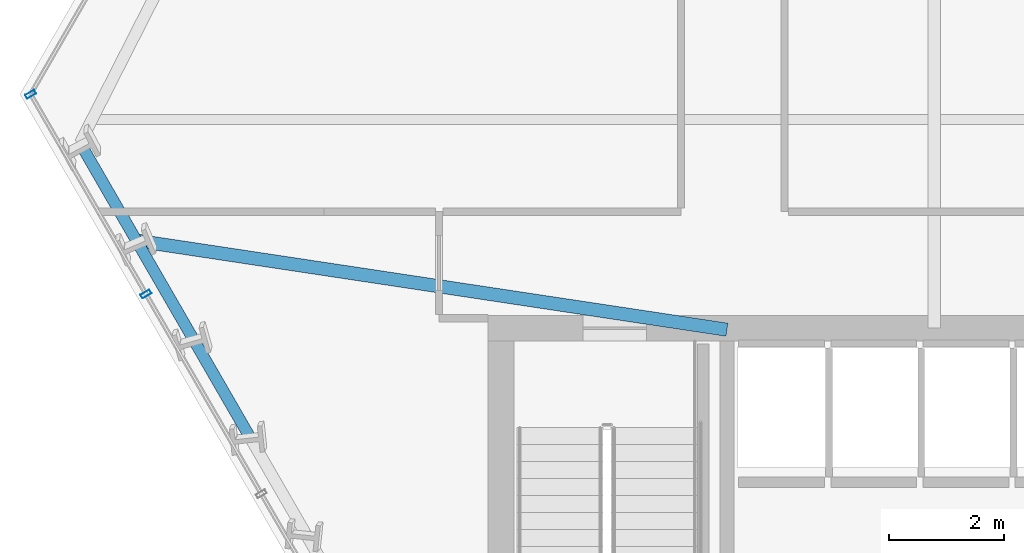
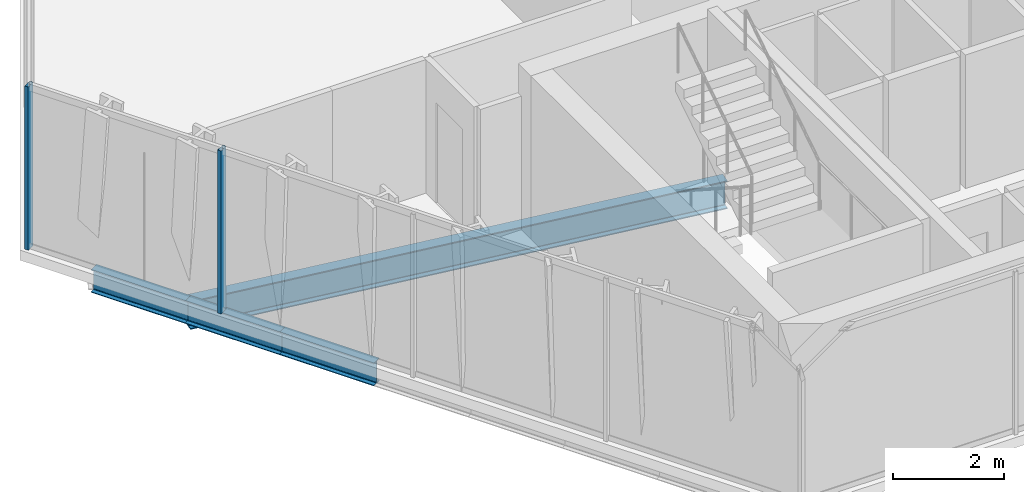
# One storey, part 4 of 32: 4 beams, 2 members, 1 element without a shape of its own.
"""IFC4 building model written with IfcOpenShell, lengths in metres."""

from ifc_helpers import new_model, si_unit, direction, frame, origin, origin_2d, place, context, subcontext, project, spatial, hollow_rectangle, i_section, extrude, material, layer, layer_set, material_profile, profile_set, type_object, element, aggregate, save


model = new_model("IFC4")

# Units and contexts
model_context = context("Model", 3, precision=1e-05, world=origin(), true_north=direction((0.0, 1.0)))
body_context = subcontext(model_context, "Body", "Model", "MODEL_VIEW")
ifc_project = project(units=[si_unit("LENGTHUNIT", "METRE"), si_unit("AREAUNIT", "SQUARE_METRE"), si_unit("VOLUMEUNIT", "CUBIC_METRE"), si_unit("PLANEANGLEUNIT", "RADIAN"), si_unit("MASSUNIT", "GRAM", prefix="KILO")], contexts=[model_context])

# Site, building, storey
site_placement = place(None, origin())
site = spatial("IfcSite", under=ifc_project, at=site_placement, CompositionType="ELEMENT")
building_placement = place(site_placement, origin())
building = spatial("IfcBuilding", under=site, at=building_placement, Name="Ndaravel Arena Tower", CompositionType="ELEMENT")
storey_placement = place(building_placement, frame((0.0, 0.0, 55.0)))
storey = spatial("IfcBuildingStorey", under=building, at=storey_placement, Name="L11", CompositionType="ELEMENT", Elevation=55.0)

# Beams
ifc_material_1 = material(Name="Steel S355", Category="steel")
ifc_material_profile_1 = material_profile(ifc_material_1, i_section(OverallWidth=0.230224609375, OverallDepth=0.6171875, WebThickness=0.01318359375, FlangeThickness=0.022216796875, FilletRadius=0.0126953125, at=origin_2d()), Name="UB 610x229x140")
ifc_profile_set_1 = profile_set([ifc_material_profile_1], Name="Steel S355")
beam_type_1 = type_object("IfcBeamType", Name="BM-GIRD-UB610B", PredefinedType="BEAM", material=ifc_profile_set_1)
beam_1_placement = place(storey_placement, frame((20.343994140625, 16.4970703125, -0.528564453125), z_axis=(0.988812912009, -0.149161070804, 0.0), x_axis=(0.149161070804, 0.988812912009, 0.0)))
element("IfcBeam", 1, at=beam_1_placement, inside=storey, type_object=beam_type_1, Name="L11 Radial Floor Girder FG-21", PredefinedType="BEAM", context=body_context, shape_type="SweptSolid", body=[
    extrude(i_section(OverallWidth=0.230224609375, OverallDepth=0.6171875, WebThickness=0.01318359375, FlangeThickness=0.022216796875, FilletRadius=0.0126953125, at=origin_2d()), origin(), (0.0, 0.0, 1.0), 10.3720703125),
])
ifc_material_2 = material(Name="Steel S355", Category="steel")
ifc_material_profile_2 = material_profile(ifc_material_2, i_section(OverallWidth=0.199951171875, OverallDepth=0.5, WebThickness=0.01025390625, FlangeThickness=0.01611328125, FilletRadius=0.02099609375, at=origin_2d()), Name="IPE 500")
ifc_profile_set_2 = profile_set([ifc_material_profile_2], Name="Steel S355")
beam_type_2 = type_object("IfcBeamType", Name="BM-SPAN-IPE500", PredefinedType="SPANDREL", material=ifc_profile_set_2)
for number, where, z_axis, x_axis, name in (
    (2, (19.365478515625, 18.19189453125, -0.469970703125), (0.500003221507, -0.866023543838, 0.0), (0.866023543838, 0.500003221507, 0.0), "L11 Perimeter Spandrel Beam SP-20"),
    (3, (20.343994140625, 16.4970703125, -0.469970703125), (0.500096775829, -0.865969523024, 0.0), (0.865969523024, 0.500096775829, 0.0), "L11 Perimeter Spandrel Beam SP-21"),
):
    element("IfcBeam", number, at=place(storey_placement, frame(where, z_axis=z_axis, x_axis=x_axis)), inside=storey, type_object=beam_type_2, Name=name, PredefinedType="SPANDREL", context=body_context, shape_type="SweptSolid", body=[
        extrude(i_section(OverallWidth=0.199951171875, OverallDepth=0.5, WebThickness=0.01025390625, FlangeThickness=0.01611328125, FilletRadius=0.02099609375, at=origin_2d()), origin(), (0.0, 0.0, 1.0), 1.95703125),
    ])
beam_2_placement = place(storey_placement, frame((21.32275390625, 14.80224609375, -0.469970703125), z_axis=(0.49994920724, -0.866054727012, 0.0), x_axis=(0.866054727012, 0.49994920724, 0.0)))
element("IfcBeam", 4, at=beam_2_placement, inside=storey, type_object=beam_type_2, Name="L11 Perimeter Spandrel Beam SP-22", PredefinedType="SPANDREL", context=body_context, shape_type="SweptSolid", body=[
    extrude(i_section(OverallWidth=0.199951171875, OverallDepth=0.5, WebThickness=0.01025390625, FlangeThickness=0.01611328125, FilletRadius=0.02099609375, at=origin_2d()), origin(), (0.0, 0.0, 1.0), 1.957275390625),
])

# Curtain wall, members
ifc_material_3 = material(Name="Aluminium", Category="aluminium")
ifc_layer = layer(ifc_material_3, 0.179931640625)
ifc_layer_set = layer_set([ifc_layer], Name="Aluminium")
curtain_wall_type = type_object("IfcCurtainWallType", Name="CW-SYS-02", PredefinedType="NOTDEFINED", material=ifc_layer_set)
curtain_wall_placement = place(storey_placement, origin())
curtain_wall = element("IfcCurtainWall", 5, at=curtain_wall_placement, inside=storey, type_object=curtain_wall_type, Name="L11 Faceted Crystal Curtain Wall CW-L11-E06", PredefinedType="NOTDEFINED")
ifc_material_4 = material(Name="Aluminium", Category="aluminium")
ifc_material_profile_3 = material_profile(ifc_material_4, hollow_rectangle(XDim=0.074951171875, YDim=0.179931640625, WallThickness=0.00390625, at=origin_2d()), Name="CW MULLION 75x180x4")
ifc_profile_set_3 = profile_set([ifc_material_profile_3], Name="Aluminium")
member_type = type_object("IfcMemberType", Name="MEM-CW-MUL180", PredefinedType="MULLION", material=ifc_profile_set_3)
member_1_placement = place(storey_placement, frame((18.5068359375, 19.03955078125, 0.0), z_axis=(0.0, 0.0, 1.0), x_axis=(0.5, -0.866025403784, 0.0)))
member_1 = element("IfcMember", 6, at=member_1_placement, type_object=member_type, Name="CW-L11-E06 Mullion 00", PredefinedType="MULLION", context=body_context, shape_type="SweptSolid", body=[
    extrude(hollow_rectangle(XDim=0.074951171875, YDim=0.179931640625, WallThickness=0.00390625, at=origin_2d()), origin(), (0.0, 0.0, 1.0), 3.580078125),
])
member_2_placement = place(storey_placement, frame((20.510009765625, 15.569580078125, 0.0), z_axis=(0.0, 0.0, 1.0), x_axis=(0.5, -0.866025403784, 0.0)))
member_2 = element("IfcMember", 7, at=member_2_placement, type_object=member_type, Name="CW-L11-E06 Mullion 01", PredefinedType="MULLION", context=body_context, shape_type="SweptSolid", body=[
    extrude(hollow_rectangle(XDim=0.074951171875, YDim=0.179931640625, WallThickness=0.00390625, at=origin_2d()), origin(), (0.0, 0.0, 1.0), 3.580078125),
])
aggregate(curtain_wall, [member_1, member_2])

save(model, "model.ifc")
